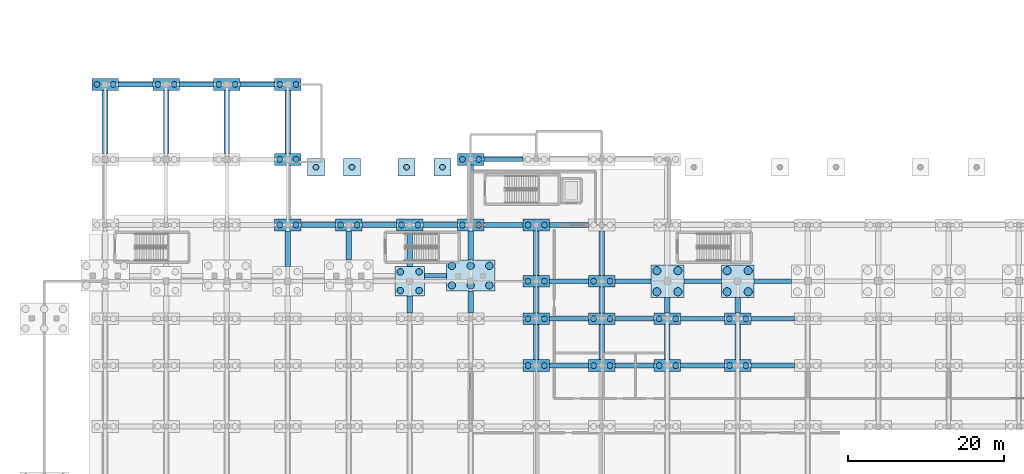
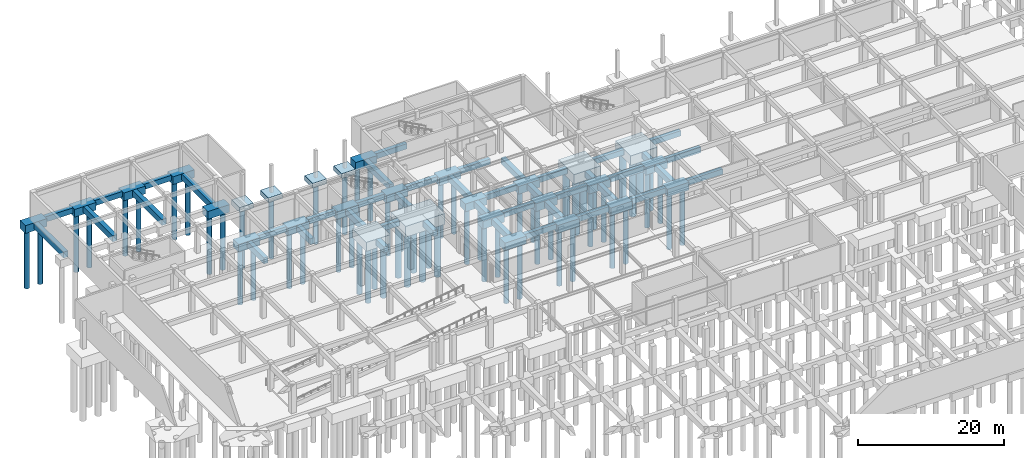
# One storey, part 6 of 26: 72 footings, 64 piles.
"""IFC4 building model written with IfcOpenShell, lengths in metres."""

from ifc_helpers import new_model, si_unit, direction, frame, origin, origin_2d, place, context, subcontext, project, spatial, rectangle, circle, extrude, material, material_profile, profile_set, type_object, element, save


model = new_model("IFC4")

# Units and contexts
model_context = context("Model", 3, precision=1e-05, world=origin(), true_north=direction((0.0, 1.0)))
body_context = subcontext(model_context, "Body", "Model", "MODEL_VIEW")
ifc_project = project(units=[si_unit("LENGTHUNIT", "METRE"), si_unit("AREAUNIT", "SQUARE_METRE"), si_unit("VOLUMEUNIT", "CUBIC_METRE"), si_unit("PLANEANGLEUNIT", "RADIAN"), si_unit("MASSUNIT", "GRAM", prefix="KILO")], contexts=[model_context])

# Site, building, storey
site_placement = place(None, origin())
site = spatial("IfcSite", under=ifc_project, at=site_placement, CompositionType="ELEMENT")
building_placement = place(site_placement, origin())
building = spatial("IfcBuilding", under=site, at=building_placement, Name="Tizgana Railside Sports Hall", CompositionType="ELEMENT")
storey_placement = place(building_placement, frame((0.0, 0.0, -4.800048828125)))
storey = spatial("IfcBuildingStorey", under=building, at=storey_placement, Name="B1", CompositionType="ELEMENT", Elevation=-4.800048828125)

# Piles
ifc_material = material(Name="Concrete C35/45", Category="concrete")
ifc_material_profile_1 = material_profile(ifc_material, circle(Radius=0.52490234375, at=origin_2d()), Name="PILE D1050")
ifc_profile_set_1 = profile_set([ifc_material_profile_1], Name="Concrete C35/45")
pile_type_1 = type_object("IfcPileType", Name="Bored Pile D1050", PredefinedType="BORED", material=ifc_profile_set_1)
for number, where, z_axis, x_axis, name in (
    (1, (78.449951171875, 71.85009765625, -1.919921875), (0.0, 0.0, -1.0), (1.0, 0.0, 0.0), "B1 PIL-0317"),
    (2, (81.14990234375, 71.85009765625, -1.919921875), (0.0, 0.0, -1.0), (1.0, 0.0, 0.0), "B1 PIL-0318"),
    (3, (78.449951171875, 74.550048828125, -1.919921875), (0.0, 0.0, -1.0), (1.0, 0.0, 0.0), "B1 PIL-0319"),
    (4, (81.14990234375, 74.550048828125, -1.919921875), (0.0, 0.0, -1.0), (1.0, 0.0, 0.0), "B1 PIL-0320"),
    (5, (87.449951171875, 71.85009765625, -1.919921875), (0.0, 0.0, -1.0), (1.0, 0.0, 0.0), "B1 PIL-0347"),
    (6, (90.14990234375, 71.85009765625, -1.919921875), (0.0, 0.0, -1.0), (1.0, 0.0, 0.0), "B1 PIL-0348"),
    (7, (87.449951171875, 74.550048828125, -1.919921875), (0.0, 0.0, -1.0), (1.0, 0.0, 0.0), "B1 PIL-0349"),
    (8, (90.14990234375, 74.550048828125, -1.919921875), (0.0, 0.0, -1.0), (1.0, 0.0, 0.0), "B1 PIL-0350"),
):
    element("IfcPile", number, at=place(storey_placement, frame(where, z_axis=z_axis, x_axis=x_axis)), inside=storey, type_object=pile_type_1, Name=name, PredefinedType="BORED", context=body_context, shape_type="SweptSolid", body=[
        extrude(circle(Radius=0.52490234375, at=origin_2d()), origin(), (0.0, 0.0, 1.0), 9.080078125),
    ])
ifc_material_profile_2 = material_profile(ifc_material, circle(Radius=0.375, at=origin_2d()), Name="PILE D750")
ifc_profile_set_2 = profile_set([ifc_material_profile_2], Name="Concrete C35/45")
pile_type_2 = type_object("IfcPileType", Name="Bored Pile D750", PredefinedType="BORED", material=ifc_profile_set_2)
for number, where, z_axis, x_axis, name in (
    (9, (6.75, 98.39990234375, -1.199951171875), (0.0, 0.0, -1.0), (1.0, 0.0, 0.0), "B1 PIL-0047"),
    (10, (8.85009765625, 98.39990234375, -1.199951171875), (0.0, 0.0, -1.0), (1.0, 0.0, 0.0), "B1 PIL-0048"),
    (11, (14.550048828125, 98.39990234375, -1.199951171875), (0.0, 0.0, -1.0), (1.0, 0.0, 0.0), "B1 PIL-0079"),
    (12, (16.64990234375, 98.39990234375, -1.199951171875), (0.0, 0.0, -1.0), (1.0, 0.0, 0.0), "B1 PIL-0080"),
    (13, (22.35009765625, 98.39990234375, -1.199951171875), (0.0, 0.0, -1.0), (1.0, 0.0, 0.0), "B1 PIL-0115"),
    (14, (24.449951171875, 98.39990234375, -1.199951171875), (0.0, 0.0, -1.0), (1.0, 0.0, 0.0), "B1 PIL-0116"),
):
    element("IfcPile", number, at=place(storey_placement, frame(where, z_axis=z_axis, x_axis=x_axis)), inside=storey, type_object=pile_type_2, Name=name, PredefinedType="BORED", context=body_context, shape_type="SweptSolid", body=[
        extrude(circle(Radius=0.375, at=origin_2d()), origin(), (0.0, 0.0, 1.0), 9.800048828125),
    ])
for number, where, z_axis, x_axis, name in (
    (15, (30.14990234375, 80.39990234375, -1.619873046875), (0.0, 0.0, -1.0), (1.0, 0.0, 0.0), "B1 PIL-0143"),
    (16, (32.25, 80.39990234375, -1.619873046875), (0.0, 0.0, -1.0), (1.0, 0.0, 0.0), "B1 PIL-0144"),
):
    element("IfcPile", number, at=place(storey_placement, frame(where, z_axis=z_axis, x_axis=x_axis)), inside=storey, type_object=pile_type_2, Name=name, PredefinedType="BORED", context=body_context, shape_type="SweptSolid", body=[
        extrude(circle(Radius=0.375, at=origin_2d()), origin(), (0.0, 0.0, 1.0), 9.3798828125),
    ])
for number, where, z_axis, x_axis, name in (
    (17, (30.14990234375, 88.800048828125, -1.199951171875), (0.0, 0.0, -1.0), (1.0, 0.0, 0.0), "B1 PIL-0145"),
    (18, (32.25, 88.800048828125, -1.199951171875), (0.0, 0.0, -1.0), (1.0, 0.0, 0.0), "B1 PIL-0146"),
    (19, (30.14990234375, 98.39990234375, -1.199951171875), (0.0, 0.0, -1.0), (1.0, 0.0, 0.0), "B1 PIL-0147"),
    (20, (32.25, 98.39990234375, -1.199951171875), (0.0, 0.0, -1.0), (1.0, 0.0, 0.0), "B1 PIL-0148"),
):
    element("IfcPile", number, at=place(storey_placement, frame(where, z_axis=z_axis, x_axis=x_axis)), inside=storey, type_object=pile_type_2, Name=name, PredefinedType="BORED", context=body_context, shape_type="SweptSolid", body=[
        extrude(circle(Radius=0.375, at=origin_2d()), origin(), (0.0, 0.0, 1.0), 9.800048828125),
    ])
for number, where, z_axis, x_axis, name in (
    (21, (37.949951171875, 80.39990234375, -1.619873046875), (0.0, 0.0, -1.0), (1.0, 0.0, 0.0), "B1 PIL-0179"),
    (22, (40.050048828125, 80.39990234375, -1.619873046875), (0.0, 0.0, -1.0), (1.0, 0.0, 0.0), "B1 PIL-0180"),
    (23, (45.75, 80.39990234375, -1.619873046875), (0.0, 0.0, -1.0), (1.0, 0.0, 0.0), "B1 PIL-0207"),
    (24, (47.85009765625, 80.39990234375, -1.619873046875), (0.0, 0.0, -1.0), (1.0, 0.0, 0.0), "B1 PIL-0208"),
    (25, (53.550048828125, 80.39990234375, -1.619873046875), (0.0, 0.0, -1.0), (1.0, 0.0, 0.0), "B1 PIL-0239"),
    (26, (55.64990234375, 80.39990234375, -1.619873046875), (0.0, 0.0, -1.0), (1.0, 0.0, 0.0), "B1 PIL-0240"),
):
    element("IfcPile", number, at=place(storey_placement, frame(where, z_axis=z_axis, x_axis=x_axis)), inside=storey, type_object=pile_type_2, Name=name, PredefinedType="BORED", context=body_context, shape_type="SweptSolid", body=[
        extrude(circle(Radius=0.375, at=origin_2d()), origin(), (0.0, 0.0, 1.0), 9.3798828125),
    ])
for number, where, z_axis, x_axis, name in (
    (27, (53.550048828125, 88.800048828125, -1.199951171875), (0.0, 0.0, -1.0), (1.0, 0.0, 0.0), "B1 PIL-0241"),
    (28, (55.64990234375, 88.800048828125, -1.199951171875), (0.0, 0.0, -1.0), (1.0, 0.0, 0.0), "B1 PIL-0242"),
):
    element("IfcPile", number, at=place(storey_placement, frame(where, z_axis=z_axis, x_axis=x_axis)), inside=storey, type_object=pile_type_2, Name=name, PredefinedType="BORED", context=body_context, shape_type="SweptSolid", body=[
        extrude(circle(Radius=0.375, at=origin_2d()), origin(), (0.0, 0.0, 1.0), 9.800048828125),
    ])
for number, where, z_axis, x_axis, name in (
    (29, (61.949951171875, 62.39990234375, -1.619873046875), (0.0, 0.0, -1.0), (1.0, 0.0, 0.0), "B1 PIL-0259"),
    (30, (64.050048828125, 62.39990234375, -1.619873046875), (0.0, 0.0, -1.0), (1.0, 0.0, 0.0), "B1 PIL-0260"),
    (31, (61.949951171875, 68.39990234375, -1.619873046875), (0.0, 0.0, -1.0), (1.0, 0.0, 0.0), "B1 PIL-0261"),
    (32, (64.050048828125, 68.39990234375, -1.619873046875), (0.0, 0.0, -1.0), (1.0, 0.0, 0.0), "B1 PIL-0262"),
    (33, (61.949951171875, 73.199951171875, -1.619873046875), (0.0, 0.0, -1.0), (1.0, 0.0, 0.0), "B1 PIL-0263"),
    (34, (64.050048828125, 73.199951171875, -1.619873046875), (0.0, 0.0, -1.0), (1.0, 0.0, 0.0), "B1 PIL-0264"),
    (35, (61.949951171875, 80.39990234375, -1.619873046875), (0.0, 0.0, -1.0), (1.0, 0.0, 0.0), "B1 PIL-0265"),
    (36, (64.050048828125, 80.39990234375, -1.619873046875), (0.0, 0.0, -1.0), (1.0, 0.0, 0.0), "B1 PIL-0266"),
    (37, (70.35009765625, 62.39990234375, -1.619873046875), (0.0, 0.0, -1.0), (1.0, 0.0, 0.0), "B1 PIL-0285"),
    (38, (72.449951171875, 62.39990234375, -1.619873046875), (0.0, 0.0, -1.0), (1.0, 0.0, 0.0), "B1 PIL-0286"),
    (39, (70.35009765625, 68.39990234375, -1.619873046875), (0.0, 0.0, -1.0), (1.0, 0.0, 0.0), "B1 PIL-0287"),
    (40, (72.449951171875, 68.39990234375, -1.619873046875), (0.0, 0.0, -1.0), (1.0, 0.0, 0.0), "B1 PIL-0288"),
    (41, (70.35009765625, 73.199951171875, -1.619873046875), (0.0, 0.0, -1.0), (1.0, 0.0, 0.0), "B1 PIL-0289"),
    (42, (72.449951171875, 73.199951171875, -1.619873046875), (0.0, 0.0, -1.0), (1.0, 0.0, 0.0), "B1 PIL-0290"),
    (43, (78.75, 62.39990234375, -1.619873046875), (0.0, 0.0, -1.0), (1.0, 0.0, 0.0), "B1 PIL-0313"),
    (44, (80.85009765625, 62.39990234375, -1.619873046875), (0.0, 0.0, -1.0), (1.0, 0.0, 0.0), "B1 PIL-0314"),
    (45, (78.75, 68.39990234375, -1.619873046875), (0.0, 0.0, -1.0), (1.0, 0.0, 0.0), "B1 PIL-0315"),
    (46, (80.85009765625, 68.39990234375, -1.619873046875), (0.0, 0.0, -1.0), (1.0, 0.0, 0.0), "B1 PIL-0316"),
    (47, (87.75, 62.39990234375, -1.619873046875), (0.0, 0.0, -1.0), (1.0, 0.0, 0.0), "B1 PIL-0343"),
    (48, (89.85009765625, 62.39990234375, -1.619873046875), (0.0, 0.0, -1.0), (1.0, 0.0, 0.0), "B1 PIL-0344"),
    (49, (87.75, 68.39990234375, -1.619873046875), (0.0, 0.0, -1.0), (1.0, 0.0, 0.0), "B1 PIL-0345"),
    (50, (89.85009765625, 68.39990234375, -1.619873046875), (0.0, 0.0, -1.0), (1.0, 0.0, 0.0), "B1 PIL-0346"),
):
    element("IfcPile", number, at=place(storey_placement, frame(where, z_axis=z_axis, x_axis=x_axis)), inside=storey, type_object=pile_type_2, Name=name, PredefinedType="BORED", context=body_context, shape_type="SweptSolid", body=[
        extrude(circle(Radius=0.375, at=origin_2d()), origin(), (0.0, 0.0, 1.0), 9.3798828125),
    ])
for number, where, z_axis, x_axis, name in (
    (51, (34.800048828125, 87.800048828125, -0.699951171875), (0.0, 0.0, -1.0), (1.0, 0.0, 0.0), "B1 Promenade Pile"),
    (52, (39.39990234375, 87.800048828125, -0.699951171875), (0.0, 0.0, -1.0), (1.0, 0.0, 0.0), "B1 Promenade Pile"),
    (53, (46.39990234375, 87.800048828125, -0.699951171875), (0.0, 0.0, -1.0), (1.0, 0.0, 0.0), "B1 Promenade Pile"),
    (54, (51.0, 87.800048828125, -0.699951171875), (0.0, 0.0, -1.0), (1.0, 0.0, 0.0), "B1 Promenade Pile"),
):
    element("IfcPile", number, at=place(storey_placement, frame(where, z_axis=z_axis, x_axis=x_axis)), inside=storey, type_object=pile_type_2, Name=name, PredefinedType="BORED", context=body_context, shape_type="SweptSolid", body=[
        extrude(circle(Radius=0.375, at=origin_2d()), origin(), (0.0, 0.0, 1.0), 10.300048828125),
    ])
ifc_material_profile_3 = material_profile(ifc_material, circle(Radius=0.425048828125, at=origin_2d()), Name="PILE D850")
ifc_profile_set_3 = profile_set([ifc_material_profile_3], Name="Concrete C35/45")
pile_type_3 = type_object("IfcPileType", Name="Bored Pile D850", PredefinedType="BORED", material=ifc_profile_set_3)
for number, where, z_axis, x_axis, name in (
    (55, (45.60009765625, 72.0, -1.820068359375), (0.0, 0.0, -1.0), (1.0, 0.0, 0.0), "B1 PIL-0203"),
    (56, (48.0, 72.0, -1.820068359375), (0.0, 0.0, -1.0), (1.0, 0.0, 0.0), "B1 PIL-0204"),
    (57, (45.60009765625, 74.39990234375, -1.820068359375), (0.0, 0.0, -1.0), (1.0, 0.0, 0.0), "B1 PIL-0205"),
    (58, (48.0, 74.39990234375, -1.820068359375), (0.0, 0.0, -1.0), (1.0, 0.0, 0.0), "B1 PIL-0206"),
):
    element("IfcPile", number, at=place(storey_placement, frame(where, z_axis=z_axis, x_axis=x_axis)), inside=storey, type_object=pile_type_3, Name=name, PredefinedType="BORED", context=body_context, shape_type="SweptSolid", body=[
        extrude(circle(Radius=0.425048828125, at=origin_2d()), origin(), (0.0, 0.0, 1.0), 9.179931640625),
    ])
ifc_material_profile_4 = material_profile(ifc_material, circle(Radius=0.47509765625, at=origin_2d()), Name="PILE D950")
ifc_profile_set_4 = profile_set([ifc_material_profile_4], Name="Concrete C35/45")
pile_type_4 = type_object("IfcPileType", Name="Bored Pile D950", PredefinedType="BORED", material=ifc_profile_set_4)
for number, where, z_axis, x_axis, name in (
    (59, (52.199951171875, 72.669921875, -2.119873046875), (0.0, 0.0, -1.0), (1.0, 0.0, 0.0), "B1 PIL-0215"),
    (60, (52.199951171875, 75.169921875, -2.119873046875), (0.0, 0.0, -1.0), (1.0, 0.0, 0.0), "B1 PIL-0216"),
    (61, (54.60009765625, 72.669921875, -2.119873046875), (0.0, 0.0, -1.0), (1.0, 0.0, 0.0), "B1 PIL-0217"),
    (62, (54.60009765625, 75.169921875, -2.119873046875), (0.0, 0.0, -1.0), (1.0, 0.0, 0.0), "B1 PIL-0218"),
    (63, (57.0, 72.669921875, -2.119873046875), (0.0, 0.0, -1.0), (1.0, 0.0, 0.0), "B1 PIL-0219"),
    (64, (57.0, 75.169921875, -2.119873046875), (0.0, 0.0, -1.0), (1.0, 0.0, 0.0), "B1 PIL-0220"),
):
    element("IfcPile", number, at=place(storey_placement, frame(where, z_axis=z_axis, x_axis=x_axis)), inside=storey, type_object=pile_type_4, Name=name, PredefinedType="BORED", context=body_context, shape_type="SweptSolid", body=[
        extrude(circle(Radius=0.47509765625, at=origin_2d()), origin(), (0.0, 0.0, 1.0), 8.8798828125),
    ])

# Footings
footing_type_1 = type_object("IfcFootingType", Name="Canopy Pad Footing 2200x2200x800", PredefinedType="PAD_FOOTING", material=ifc_material)
for number, where, z_axis, x_axis, name in (
    (65, (34.800048828125, 87.800048828125, -0.7998046875), (0.0, 0.0, 1.0), (1.0, 0.0, 0.0), "B1 Promenade Pier Footing"),
    (66, (39.39990234375, 87.800048828125, -0.7998046875), (0.0, 0.0, 1.0), (1.0, 0.0, 0.0), "B1 Promenade Pier Footing"),
    (67, (46.39990234375, 87.800048828125, -0.7998046875), (0.0, 0.0, 1.0), (1.0, 0.0, 0.0), "B1 Promenade Pier Footing"),
    (68, (51.0, 87.800048828125, -0.7998046875), (0.0, 0.0, 1.0), (1.0, 0.0, 0.0), "B1 Promenade Pier Footing"),
):
    element("IfcFooting", number, at=place(storey_placement, frame(where, z_axis=z_axis, x_axis=x_axis)), inside=storey, type_object=footing_type_1, Name=name, PredefinedType="PAD_FOOTING", context=body_context, shape_type="SweptSolid", body=[
        extrude(rectangle(XDim=2.199951171875, YDim=2.199951171875, at=origin_2d()), origin(), (0.0, 0.0, 1.0), 0.800048828125),
    ])
footing_type_2 = type_object("IfcFootingType", Name="Four-Pile Cap 3800x3800x1500", PredefinedType="PILE_CAP", material=ifc_material)
footing_1_placement = place(storey_placement, frame((46.800048828125, 73.199951171875, -1.919921875), z_axis=(0.0, 0.0, 1.0), x_axis=(1.0, 0.0, 0.0)))
element("IfcFooting", 69, at=footing_1_placement, inside=storey, type_object=footing_type_2, Name="B1 FTG-0081", PredefinedType="PILE_CAP", context=body_context, shape_type="SweptSolid", body=[
    extrude(rectangle(XDim=3.800048828125, YDim=3.800048828125, at=origin_2d()), origin(), (0.0, 0.0, 1.0), 1.5),
])
footing_type_3 = type_object("IfcFootingType", Name="Ground Tie Beam 600x900", PredefinedType="FOOTING_BEAM", material=ifc_material)
for number, where, z_axis, x_axis, name in (
    (70, (67.199951171875, 62.39990234375, -1.31982421875), (0.0, 0.0, 1.0), (1.0, 0.0, 0.0), "B1 FTG-0358"),
    (71, (75.60009765625, 62.39990234375, -1.31982421875), (0.0, 0.0, 1.0), (1.0, 0.0, 0.0), "B1 FTG-0359"),
):
    element("IfcFooting", number, at=place(storey_placement, frame(where, z_axis=z_axis, x_axis=x_axis)), inside=storey, type_object=footing_type_3, Name=name, PredefinedType="FOOTING_BEAM", context=body_context, shape_type="SweptSolid", body=[
        extrude(rectangle(XDim=5.00390625, YDim=0.60009765625, at=origin_2d()), origin(), (0.0, 0.0, 1.0), 0.89990234375),
    ])
for number, where, z_axis, x_axis, name in (
    (72, (84.300048828125, 62.39990234375, -1.31982421875), (0.0, 0.0, 1.0), (1.0, 0.0, 0.0), "B1 FTG-0360"),
    (73, (93.300048828125, 62.39990234375, -1.31982421875), (0.0, 0.0, 1.0), (1.0, 0.0, 0.0), "B1 FTG-0361"),
):
    element("IfcFooting", number, at=place(storey_placement, frame(where, z_axis=z_axis, x_axis=x_axis)), inside=storey, type_object=footing_type_3, Name=name, PredefinedType="FOOTING_BEAM", context=body_context, shape_type="SweptSolid", body=[
        extrude(rectangle(XDim=5.60400390625, YDim=0.60009765625, at=origin_2d()), origin(), (0.0, 0.0, 1.0), 0.89990234375),
    ])
for number, where, z_axis, x_axis, name in (
    (74, (67.199951171875, 68.39990234375, -1.31982421875), (0.0, 0.0, 1.0), (1.0, 0.0, 0.0), "B1 FTG-0373"),
    (75, (75.60009765625, 68.39990234375, -1.31982421875), (0.0, 0.0, 1.0), (1.0, 0.0, 0.0), "B1 FTG-0374"),
):
    element("IfcFooting", number, at=place(storey_placement, frame(where, z_axis=z_axis, x_axis=x_axis)), inside=storey, type_object=footing_type_3, Name=name, PredefinedType="FOOTING_BEAM", context=body_context, shape_type="SweptSolid", body=[
        extrude(rectangle(XDim=5.00390625, YDim=0.60009765625, at=origin_2d()), origin(), (0.0, 0.0, 1.0), 0.89990234375),
    ])
for number, where, z_axis, x_axis, name in (
    (76, (84.300048828125, 68.39990234375, -1.31982421875), (0.0, 0.0, 1.0), (1.0, 0.0, 0.0), "B1 FTG-0375"),
    (77, (93.300048828125, 68.39990234375, -1.31982421875), (0.0, 0.0, 1.0), (1.0, 0.0, 0.0), "B1 FTG-0376"),
):
    element("IfcFooting", number, at=place(storey_placement, frame(where, z_axis=z_axis, x_axis=x_axis)), inside=storey, type_object=footing_type_3, Name=name, PredefinedType="FOOTING_BEAM", context=body_context, shape_type="SweptSolid", body=[
        extrude(rectangle(XDim=5.60400390625, YDim=0.60009765625, at=origin_2d()), origin(), (0.0, 0.0, 1.0), 0.89990234375),
    ])
footing_2_placement = place(storey_placement, frame((67.199951171875, 73.199951171875, -1.31982421875), z_axis=(0.0, 0.0, 1.0), x_axis=(1.0, 0.0, 0.0)))
element("IfcFooting", 78, at=footing_2_placement, inside=storey, type_object=footing_type_3, Name="B1 FTG-0385", PredefinedType="FOOTING_BEAM", context=body_context, shape_type="SweptSolid", body=[
    extrude(rectangle(XDim=5.00390625, YDim=0.60009765625, at=origin_2d()), origin(), (0.0, 0.0, 1.0), 0.89990234375),
])
footing_3_placement = place(storey_placement, frame((75.39990234375, 73.199951171875, -1.31982421875), z_axis=(0.0, 0.0, 1.0), x_axis=(1.0, 0.0, 0.0)))
element("IfcFooting", 79, at=footing_3_placement, inside=storey, type_object=footing_type_3, Name="B1 FTG-0386", PredefinedType="FOOTING_BEAM", context=body_context, shape_type="SweptSolid", body=[
    extrude(rectangle(XDim=4.60400390625, YDim=0.60009765625, at=origin_2d()), origin(), (0.0, 0.0, 1.0), 0.89990234375),
])
for number, where, z_axis, x_axis, name in (
    (80, (84.300048828125, 73.199951171875, -1.31982421875), (0.0, 0.0, 1.0), (1.0, 0.0, 0.0), "B1 FTG-0387"),
    (81, (93.300048828125, 73.199951171875, -1.31982421875), (0.0, 0.0, 1.0), (1.0, 0.0, 0.0), "B1 FTG-0388"),
):
    element("IfcFooting", number, at=place(storey_placement, frame(where, z_axis=z_axis, x_axis=x_axis)), inside=storey, type_object=footing_type_3, Name=name, PredefinedType="FOOTING_BEAM", context=body_context, shape_type="SweptSolid", body=[
        extrude(rectangle(XDim=4.803955078125, YDim=0.60009765625, at=origin_2d()), origin(), (0.0, 0.0, 1.0), 0.89990234375),
    ])
footing_4_placement = place(storey_placement, frame((50.10009765625, 73.919921875, -1.31982421875), z_axis=(0.0, 0.0, 1.0), x_axis=(1.0, 0.0, 0.0)))
element("IfcFooting", 82, at=footing_4_placement, inside=storey, type_object=footing_type_3, Name="B1 FTG-0402", PredefinedType="FOOTING_BEAM", context=body_context, shape_type="SweptSolid", body=[
    extrude(rectangle(XDim=2.803955078125, YDim=0.60009765625, at=origin_2d()), origin(), (0.0, 0.0, 1.0), 0.89990234375),
])
for number, where, z_axis, x_axis, name in (
    (83, (35.10009765625, 80.39990234375, -1.31982421875), (0.0, 0.0, 1.0), (1.0, 0.0, 0.0), "B1 FTG-0406"),
    (84, (42.89990234375, 80.39990234375, -1.31982421875), (0.0, 0.0, 1.0), (1.0, 0.0, 0.0), "B1 FTG-0407"),
    (85, (50.699951171875, 80.39990234375, -1.31982421875), (0.0, 0.0, 1.0), (1.0, 0.0, 0.0), "B1 FTG-0408"),
):
    element("IfcFooting", number, at=place(storey_placement, frame(where, z_axis=z_axis, x_axis=x_axis)), inside=storey, type_object=footing_type_3, Name=name, PredefinedType="FOOTING_BEAM", context=body_context, shape_type="SweptSolid", body=[
        extrude(rectangle(XDim=4.404052734375, YDim=0.60009765625, at=origin_2d()), origin(), (0.0, 0.0, 1.0), 0.89990234375),
    ])
for number, where, z_axis, x_axis, name in (
    (86, (58.800048828125, 80.39990234375, -1.31982421875), (0.0, 0.0, 1.0), (1.0, 0.0, 0.0), "B1 FTG-0409"),
    (87, (67.199951171875, 80.39990234375, -1.31982421875), (0.0, 0.0, 1.0), (1.0, 0.0, 0.0), "B1 FTG-0410"),
    (88, (58.800048828125, 88.800048828125, -0.89990234375), (0.0, 0.0, 1.0), (1.0, 0.0, 0.0), "B1 FTG-0425"),
):
    element("IfcFooting", number, at=place(storey_placement, frame(where, z_axis=z_axis, x_axis=x_axis)), inside=storey, type_object=footing_type_3, Name=name, PredefinedType="FOOTING_BEAM", context=body_context, shape_type="SweptSolid", body=[
        extrude(rectangle(XDim=5.00390625, YDim=0.60009765625, at=origin_2d()), origin(), (0.0, 0.0, 1.0), 0.89990234375),
    ])
for number, where, z_axis, x_axis, name in (
    (89, (11.699951171875, 98.39990234375, -0.89990234375), (0.0, 0.0, 1.0), (1.0, 0.0, 0.0), "B1 FTG-0433"),
    (90, (19.5, 98.39990234375, -0.89990234375), (0.0, 0.0, 1.0), (1.0, 0.0, 0.0), "B1 FTG-0434"),
    (91, (27.300048828125, 98.39990234375, -0.89990234375), (0.0, 0.0, 1.0), (1.0, 0.0, 0.0), "B1 FTG-0435"),
):
    element("IfcFooting", number, at=place(storey_placement, frame(where, z_axis=z_axis, x_axis=x_axis)), inside=storey, type_object=footing_type_3, Name=name, PredefinedType="FOOTING_BEAM", context=body_context, shape_type="SweptSolid", body=[
        extrude(rectangle(XDim=4.404052734375, YDim=0.60009765625, at=origin_2d()), origin(), (0.0, 0.0, 1.0), 0.89990234375),
    ])
footing_type_4 = type_object("IfcFootingType", Name="Heavy Four-Pile Cap 4200x4200x1600", PredefinedType="PILE_CAP", material=ifc_material)
for number, where, z_axis, x_axis, name in (
    (92, (79.800048828125, 73.199951171875, -2.02001953125), (0.0, 0.0, 1.0), (1.0, 0.0, 0.0), "B1 FTG-0132"),
    (93, (88.800048828125, 73.199951171875, -2.02001953125), (0.0, 0.0, 1.0), (1.0, 0.0, 0.0), "B1 FTG-0145"),
):
    element("IfcFooting", number, at=place(storey_placement, frame(where, z_axis=z_axis, x_axis=x_axis)), inside=storey, type_object=footing_type_4, Name=name, PredefinedType="PILE_CAP", context=body_context, shape_type="SweptSolid", body=[
        extrude(rectangle(XDim=4.199951171875, YDim=4.199951171875, at=origin_2d()), origin(), (0.0, 0.0, 1.0), 1.60009765625),
    ])
footing_type_5 = type_object("IfcFootingType", Name="Perimeter Ground Beam 700x1000", PredefinedType="FOOTING_BEAM", material=ifc_material)
for number, where, z_axis, x_axis, name in (
    (94, (7.800048828125, 93.60009765625, -1.0), (0.0, 0.0, 1.0), (0.0, 1.0, 0.0), "B1 FTG-0453"),
    (95, (15.60009765625, 93.60009765625, -1.0), (0.0, 0.0, 1.0), (0.0, 1.0, 0.0), "B1 FTG-0464"),
    (96, (23.39990234375, 93.60009765625, -1.0), (0.0, 0.0, 1.0), (0.0, 1.0, 0.0), "B1 FTG-0475"),
):
    element("IfcFooting", number, at=place(storey_placement, frame(where, z_axis=z_axis, x_axis=x_axis)), inside=storey, type_object=footing_type_5, Name=name, PredefinedType="FOOTING_BEAM", context=body_context, shape_type="SweptSolid", body=[
        extrude(rectangle(XDim=8.10400390625, YDim=0.699951171875, at=origin_2d()), origin(), (0.0, 0.0, 1.0), 1.0),
    ])
footing_5_placement = place(storey_placement, frame((31.199951171875, 77.375, -1.419921875), z_axis=(0.0, 0.0, 1.0), x_axis=(0.0, 1.0, 0.0)))
element("IfcFooting", 97, at=footing_5_placement, inside=storey, type_object=footing_type_5, Name="B1 FTG-0485", PredefinedType="FOOTING_BEAM", context=body_context, shape_type="SweptSolid", body=[
    extrude(rectangle(XDim=4.553955078125, YDim=0.699951171875, at=origin_2d()), origin(), (0.0, 0.0, 1.0), 1.0),
])
footing_6_placement = place(storey_placement, frame((31.199951171875, 93.60009765625, -1.0), z_axis=(0.0, 0.0, 1.0), x_axis=(0.0, 1.0, 0.0)))
element("IfcFooting", 98, at=footing_6_placement, inside=storey, type_object=footing_type_5, Name="B1 FTG-0486", PredefinedType="FOOTING_BEAM", context=body_context, shape_type="SweptSolid", body=[
    extrude(rectangle(XDim=8.10400390625, YDim=0.699951171875, at=origin_2d()), origin(), (0.0, 0.0, 1.0), 1.0),
])
footing_7_placement = place(storey_placement, frame((39.0, 77.784912109375, -1.419921875), z_axis=(0.0, 0.0, 1.0), x_axis=(0.0, 1.0, 0.0)))
element("IfcFooting", 99, at=footing_7_placement, inside=storey, type_object=footing_type_5, Name="B1 FTG-0496", PredefinedType="FOOTING_BEAM", context=body_context, shape_type="SweptSolid", body=[
    extrude(rectangle(XDim=3.73388671875, YDim=0.699951171875, at=origin_2d()), origin(), (0.0, 0.0, 1.0), 1.0),
])
footing_8_placement = place(storey_placement, frame((46.800048828125, 70.22509765625, -1.419921875), z_axis=(0.0, 0.0, 1.0), x_axis=(0.0, 1.0, 0.0)))
element("IfcFooting", 100, at=footing_8_placement, inside=storey, type_object=footing_type_5, Name="B1 FTG-0505", PredefinedType="FOOTING_BEAM", context=body_context, shape_type="SweptSolid", body=[
    extrude(rectangle(XDim=2.154052734375, YDim=0.699951171875, at=origin_2d()), origin(), (0.0, 0.0, 1.0), 1.0),
])
footing_9_placement = place(storey_placement, frame((46.800048828125, 77.375, -1.419921875), z_axis=(0.0, 0.0, 1.0), x_axis=(0.0, 1.0, 0.0)))
element("IfcFooting", 101, at=footing_9_placement, inside=storey, type_object=footing_type_5, Name="B1 FTG-0506", PredefinedType="FOOTING_BEAM", context=body_context, shape_type="SweptSolid", body=[
    extrude(rectangle(XDim=4.553955078125, YDim=0.699951171875, at=origin_2d()), origin(), (0.0, 0.0, 1.0), 1.0),
])
footing_10_placement = place(storey_placement, frame((54.60009765625, 70.534912109375, -1.419921875), z_axis=(0.0, 0.0, 1.0), x_axis=(0.0, 1.0, 0.0)))
element("IfcFooting", 102, at=footing_10_placement, inside=storey, type_object=footing_type_5, Name="B1 FTG-0515", PredefinedType="FOOTING_BEAM", context=body_context, shape_type="SweptSolid", body=[
    extrude(rectangle(XDim=2.77392578125, YDim=0.699951171875, at=origin_2d()), origin(), (0.0, 0.0, 1.0), 1.0),
])
footing_11_placement = place(storey_placement, frame((54.60009765625, 77.784912109375, -1.419921875), z_axis=(0.0, 0.0, 1.0), x_axis=(0.0, 1.0, 0.0)))
element("IfcFooting", 103, at=footing_11_placement, inside=storey, type_object=footing_type_5, Name="B1 FTG-0516", PredefinedType="FOOTING_BEAM", context=body_context, shape_type="SweptSolid", body=[
    extrude(rectangle(XDim=3.73388671875, YDim=0.699951171875, at=origin_2d()), origin(), (0.0, 0.0, 1.0), 1.0),
])
footing_12_placement = place(storey_placement, frame((54.60009765625, 84.60009765625, -1.0), z_axis=(0.0, 0.0, 1.0), x_axis=(0.0, 1.0, 0.0)))
element("IfcFooting", 104, at=footing_12_placement, inside=storey, type_object=footing_type_5, Name="B1 FTG-0517", PredefinedType="FOOTING_BEAM", context=body_context, shape_type="SweptSolid", body=[
    extrude(rectangle(XDim=6.904052734375, YDim=0.699951171875, at=origin_2d()), origin(), (0.0, 0.0, 1.0), 1.0),
])
footing_13_placement = place(storey_placement, frame((63.0, 65.39990234375, -1.419921875), z_axis=(0.0, 0.0, 1.0), x_axis=(0.0, 1.0, 0.0)))
element("IfcFooting", 105, at=footing_13_placement, inside=storey, type_object=footing_type_5, Name="B1 FTG-0526", PredefinedType="FOOTING_BEAM", context=body_context, shape_type="SweptSolid", body=[
    extrude(rectangle(XDim=4.50390625, YDim=0.699951171875, at=origin_2d()), origin(), (0.0, 0.0, 1.0), 1.0),
])
footing_14_placement = place(storey_placement, frame((63.0, 70.800048828125, -1.419921875), z_axis=(0.0, 0.0, 1.0), x_axis=(0.0, 1.0, 0.0)))
element("IfcFooting", 106, at=footing_14_placement, inside=storey, type_object=footing_type_5, Name="B1 FTG-0527", PredefinedType="FOOTING_BEAM", context=body_context, shape_type="SweptSolid", body=[
    extrude(rectangle(XDim=3.303955078125, YDim=0.699951171875, at=origin_2d()), origin(), (0.0, 0.0, 1.0), 1.0),
])
footing_15_placement = place(storey_placement, frame((63.0, 76.800048828125, -1.419921875), z_axis=(0.0, 0.0, 1.0), x_axis=(0.0, 1.0, 0.0)))
element("IfcFooting", 107, at=footing_15_placement, inside=storey, type_object=footing_type_5, Name="B1 FTG-0528", PredefinedType="FOOTING_BEAM", context=body_context, shape_type="SweptSolid", body=[
    extrude(rectangle(XDim=5.7041015625, YDim=0.699951171875, at=origin_2d()), origin(), (0.0, 0.0, 1.0), 1.0),
])
footing_16_placement = place(storey_placement, frame((71.39990234375, 65.39990234375, -1.419921875), z_axis=(0.0, 0.0, 1.0), x_axis=(0.0, 1.0, 0.0)))
element("IfcFooting", 108, at=footing_16_placement, inside=storey, type_object=footing_type_5, Name="B1 FTG-0537", PredefinedType="FOOTING_BEAM", context=body_context, shape_type="SweptSolid", body=[
    extrude(rectangle(XDim=4.50390625, YDim=0.699951171875, at=origin_2d()), origin(), (0.0, 0.0, 1.0), 1.0),
])
footing_17_placement = place(storey_placement, frame((71.39990234375, 70.800048828125, -1.419921875), z_axis=(0.0, 0.0, 1.0), x_axis=(0.0, 1.0, 0.0)))
element("IfcFooting", 109, at=footing_17_placement, inside=storey, type_object=footing_type_5, Name="B1 FTG-0538", PredefinedType="FOOTING_BEAM", context=body_context, shape_type="SweptSolid", body=[
    extrude(rectangle(XDim=3.303955078125, YDim=0.699951171875, at=origin_2d()), origin(), (0.0, 0.0, 1.0), 1.0),
])
footing_18_placement = place(storey_placement, frame((71.39990234375, 76.800048828125, -1.419921875), z_axis=(0.0, 0.0, 1.0), x_axis=(0.0, 1.0, 0.0)))
element("IfcFooting", 110, at=footing_18_placement, inside=storey, type_object=footing_type_5, Name="B1 FTG-0539", PredefinedType="FOOTING_BEAM", context=body_context, shape_type="SweptSolid", body=[
    extrude(rectangle(XDim=5.7041015625, YDim=0.699951171875, at=origin_2d()), origin(), (0.0, 0.0, 1.0), 1.0),
])
footing_19_placement = place(storey_placement, frame((79.800048828125, 65.39990234375, -1.419921875), z_axis=(0.0, 0.0, 1.0), x_axis=(0.0, 1.0, 0.0)))
element("IfcFooting", 111, at=footing_19_placement, inside=storey, type_object=footing_type_5, Name="B1 FTG-0548", PredefinedType="FOOTING_BEAM", context=body_context, shape_type="SweptSolid", body=[
    extrude(rectangle(XDim=4.50390625, YDim=0.699951171875, at=origin_2d()), origin(), (0.0, 0.0, 1.0), 1.0),
])
footing_20_placement = place(storey_placement, frame((79.800048828125, 70.125, -1.419921875), z_axis=(0.0, 0.0, 1.0), x_axis=(0.0, 1.0, 0.0)))
element("IfcFooting", 112, at=footing_20_placement, inside=storey, type_object=footing_type_5, Name="B1 FTG-0549", PredefinedType="FOOTING_BEAM", context=body_context, shape_type="SweptSolid", body=[
    extrude(rectangle(XDim=1.9541015625, YDim=0.699951171875, at=origin_2d()), origin(), (0.0, 0.0, 1.0), 1.0),
])
footing_21_placement = place(storey_placement, frame((88.800048828125, 65.39990234375, -1.419921875), z_axis=(0.0, 0.0, 1.0), x_axis=(0.0, 1.0, 0.0)))
element("IfcFooting", 113, at=footing_21_placement, inside=storey, type_object=footing_type_5, Name="B1 FTG-0559", PredefinedType="FOOTING_BEAM", context=body_context, shape_type="SweptSolid", body=[
    extrude(rectangle(XDim=4.50390625, YDim=0.699951171875, at=origin_2d()), origin(), (0.0, 0.0, 1.0), 1.0),
])
footing_22_placement = place(storey_placement, frame((88.800048828125, 70.125, -1.419921875), z_axis=(0.0, 0.0, 1.0), x_axis=(0.0, 1.0, 0.0)))
element("IfcFooting", 114, at=footing_22_placement, inside=storey, type_object=footing_type_5, Name="B1 FTG-0560", PredefinedType="FOOTING_BEAM", context=body_context, shape_type="SweptSolid", body=[
    extrude(rectangle(XDim=1.9541015625, YDim=0.699951171875, at=origin_2d()), origin(), (0.0, 0.0, 1.0), 1.0),
])
footing_type_6 = type_object("IfcFootingType", Name="Six-Pile Transfer Cap 6200x4000x1800", PredefinedType="PILE_CAP", material=ifc_material)
footing_23_placement = place(storey_placement, frame((54.60009765625, 73.919921875, -2.22021484375), z_axis=(0.0, 0.0, 1.0), x_axis=(1.0, 0.0, 0.0)))
element("IfcFooting", 115, at=footing_23_placement, inside=storey, type_object=footing_type_6, Name="B1 FTG-0084", PredefinedType="PILE_CAP", context=body_context, shape_type="SweptSolid", body=[
    extrude(rectangle(XDim=6.199951171875, YDim=4.0, at=origin_2d()), origin(), (0.0, 0.0, 1.0), 1.800048828125),
])
footing_type_7 = type_object("IfcFootingType", Name="Two-Pile Cap 3400x1500x1300", PredefinedType="PILE_CAP", material=ifc_material)
for number, where, z_axis, x_axis, name in (
    (116, (7.800048828125, 98.39990234375, -1.2998046875), (0.0, 0.0, 1.0), (1.0, 0.0, 0.0), "B1 FTG-0016"),
    (117, (15.60009765625, 98.39990234375, -1.2998046875), (0.0, 0.0, 1.0), (1.0, 0.0, 0.0), "B1 FTG-0030"),
    (118, (23.39990234375, 98.39990234375, -1.2998046875), (0.0, 0.0, 1.0), (1.0, 0.0, 0.0), "B1 FTG-0044"),
    (119, (31.199951171875, 80.39990234375, -1.72021484375), (0.0, 0.0, 1.0), (1.0, 0.0, 0.0), "B1 FTG-0056"),
    (120, (31.199951171875, 88.800048828125, -1.2998046875), (0.0, 0.0, 1.0), (1.0, 0.0, 0.0), "B1 FTG-0057"),
    (121, (31.199951171875, 98.39990234375, -1.2998046875), (0.0, 0.0, 1.0), (1.0, 0.0, 0.0), "B1 FTG-0058"),
    (122, (39.0, 80.39990234375, -1.72021484375), (0.0, 0.0, 1.0), (1.0, 0.0, 0.0), "B1 FTG-0070"),
    (123, (46.800048828125, 80.39990234375, -1.72021484375), (0.0, 0.0, 1.0), (1.0, 0.0, 0.0), "B1 FTG-0082"),
    (124, (54.60009765625, 80.39990234375, -1.72021484375), (0.0, 0.0, 1.0), (1.0, 0.0, 0.0), "B1 FTG-0094"),
    (125, (54.60009765625, 88.800048828125, -1.2998046875), (0.0, 0.0, 1.0), (1.0, 0.0, 0.0), "B1 FTG-0095"),
    (126, (63.0, 62.39990234375, -1.72021484375), (0.0, 0.0, 1.0), (1.0, 0.0, 0.0), "B1 FTG-0104"),
    (127, (63.0, 68.39990234375, -1.72021484375), (0.0, 0.0, 1.0), (1.0, 0.0, 0.0), "B1 FTG-0105"),
    (128, (63.0, 73.199951171875, -1.72021484375), (0.0, 0.0, 1.0), (1.0, 0.0, 0.0), "B1 FTG-0106"),
    (129, (63.0, 80.39990234375, -1.72021484375), (0.0, 0.0, 1.0), (1.0, 0.0, 0.0), "B1 FTG-0107"),
    (130, (71.39990234375, 62.39990234375, -1.72021484375), (0.0, 0.0, 1.0), (1.0, 0.0, 0.0), "B1 FTG-0117"),
    (131, (71.39990234375, 68.39990234375, -1.72021484375), (0.0, 0.0, 1.0), (1.0, 0.0, 0.0), "B1 FTG-0118"),
    (132, (71.39990234375, 73.199951171875, -1.72021484375), (0.0, 0.0, 1.0), (1.0, 0.0, 0.0), "B1 FTG-0119"),
    (133, (79.800048828125, 62.39990234375, -1.72021484375), (0.0, 0.0, 1.0), (1.0, 0.0, 0.0), "B1 FTG-0130"),
    (134, (79.800048828125, 68.39990234375, -1.72021484375), (0.0, 0.0, 1.0), (1.0, 0.0, 0.0), "B1 FTG-0131"),
    (135, (88.800048828125, 62.39990234375, -1.72021484375), (0.0, 0.0, 1.0), (1.0, 0.0, 0.0), "B1 FTG-0143"),
    (136, (88.800048828125, 68.39990234375, -1.72021484375), (0.0, 0.0, 1.0), (1.0, 0.0, 0.0), "B1 FTG-0144"),
):
    element("IfcFooting", number, at=place(storey_placement, frame(where, z_axis=z_axis, x_axis=x_axis)), inside=storey, type_object=footing_type_7, Name=name, PredefinedType="PILE_CAP", context=body_context, shape_type="SweptSolid", body=[
        extrude(rectangle(XDim=3.39990234375, YDim=1.5, at=origin_2d()), origin(), (0.0, 0.0, 1.0), 1.300048828125),
    ])

save(model, "model.ifc")
